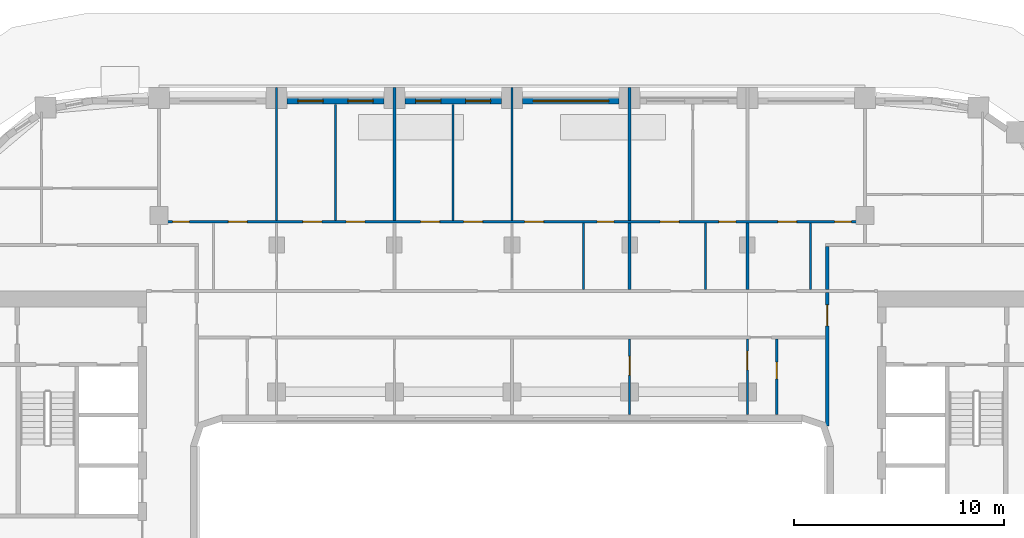
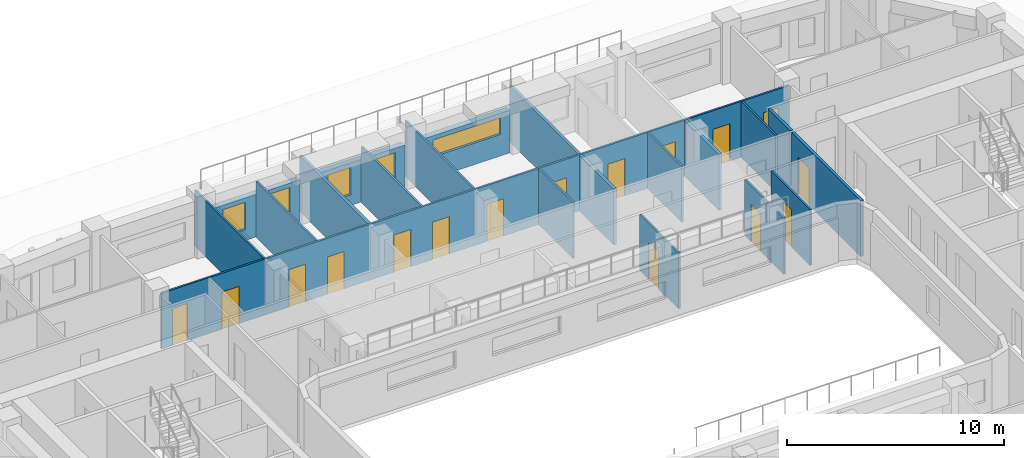
# One storey, part 8 of 17: 20 walls, 16 doors, 5 windows, 21 openings.
"""IFC4 building model written with IfcOpenShell, lengths in metres."""

import ifcopenshell
import ifcopenshell.guid

model = None  # the IFC model being written
_history = None  # IfcOwnerHistory: only IFC2X3 demands one
_inside = {}  # id of a spatial element -> (the spatial element, [elements in it])
_under = {}  # id of a project, library or spatial element -> (it, [spatial elements below it])
_declared = {}  # id of a project -> (the project, [libraries it declares])
_typed = {}  # id of a type object -> (the type object, [elements of that type])
_made_of = {}  # id of a material, layer set ... -> (it, [elements and type objects made of it])


def new_model(schema):
    """Start an empty IFC model of exactly this schema.

    Asked for "IFC4X3", IfcOpenShell would pick the latest addendum, in which some entities
    have other attributes; the version numbers below select the first issue.
    IFC2X3 requires an IfcOwnerHistory on every rooted entity: one is made here for all.
    """
    global model, _history
    if schema == "IFC4X3":
        model = ifcopenshell.file(schema_version=(4, 3, 0, 0))
    else:
        model = ifcopenshell.file(schema=schema)
    _inside.clear()
    _under.clear()
    _declared.clear()
    _typed.clear()
    _made_of.clear()
    _history = None
    if model.schema == "IFC2X3":
        org = make("IfcOrganization", Name="unknown")
        user = make(
            "IfcPersonAndOrganization",
            ThePerson=make("IfcPerson", FamilyName="unknown"),
            TheOrganization=org,
        )
        app = make(
            "IfcApplication",
            ApplicationDeveloper=org,
            Version="unknown",
            ApplicationFullName="unknown",
            ApplicationIdentifier="unknown",
        )
        _history = make(
            "IfcOwnerHistory",
            OwningUser=user,
            OwningApplication=app,
            ChangeAction="ADDED",
            CreationDate=0,
        )
    return model


def make(cls, **values):
    """One entity of the class cls with the attributes given. An attribute that is None is left unset."""
    return model.create_entity(
        cls, **{name: value for name, value in values.items() if value is not None}
    )


def rooted(cls, **values):
    """An entity with a GlobalId (a new one), such as an element, a storey or a relation."""
    return make(cls, GlobalId=ifcopenshell.guid.new(), OwnerHistory=_history, **values)


def si_unit(unit_type, name, prefix=None):
    """IfcSIUnit, for example si_unit("LENGTHUNIT", "METRE", prefix="MILLI")."""
    return make("IfcSIUnit", UnitType=unit_type, Prefix=prefix, Name=name)


def assignment(units):
    """IfcUnitAssignment: the units of a project."""
    return None if units is None else make("IfcUnitAssignment", Units=units)


def point(xyz):
    """IfcCartesianPoint."""
    return None if xyz is None else make("IfcCartesianPoint", Coordinates=xyz)


def direction(xyz):
    """IfcDirection."""
    return None if xyz is None else make("IfcDirection", DirectionRatios=xyz)


def frame(location, z_axis=None, x_axis=None):
    """IfcAxis2Placement3D, a coordinate frame: its origin and axes. An axis left out is left unset."""
    return make(
        "IfcAxis2Placement3D",
        Location=point(location),
        Axis=direction(z_axis),
        RefDirection=direction(x_axis),
    )


def frame_2d(location, x_axis=None):
    """IfcAxis2Placement2D, a coordinate frame in the plane: its origin and x axis."""
    return make(
        "IfcAxis2Placement2D", Location=point(location), RefDirection=direction(x_axis)
    )


def origin():
    """The frame at (0, 0, 0) with its axes left unset."""
    return frame((0.0, 0.0, 0.0))


def place(relative_to, where):
    """IfcLocalPlacement: puts the frame where relative to a parent placement (None: the world)."""
    return make(
        "IfcLocalPlacement", PlacementRelTo=relative_to, RelativePlacement=where
    )


def context(
    kind, dimensions, precision=None, world=None, true_north=None, identifier=None
):
    """IfcGeometricRepresentationContext, for example the 3D "Model" context."""
    return make(
        "IfcGeometricRepresentationContext",
        ContextIdentifier=identifier,
        ContextType=kind,
        CoordinateSpaceDimension=dimensions,
        Precision=precision,
        WorldCoordinateSystem=world,
        TrueNorth=true_north,
    )


def subcontext(parent, identifier, kind, view, scale=None):
    """IfcGeometricRepresentationSubContext, for example "Body" below "Model"."""
    return make(
        "IfcGeometricRepresentationSubContext",
        ContextIdentifier=identifier,
        ContextType=kind,
        ParentContext=parent,
        TargetScale=scale,
        TargetView=view,
    )


def project(units=None, contexts=None):
    """IfcProject with its units and contexts."""
    return rooted(
        "IfcProject",
        Name="project",
        RepresentationContexts=contexts,
        UnitsInContext=assignment(units),
    )


def spatial(cls, under=None, at=None, **own):
    """A site, building, storey or space (cls), placed at a placement, below another one or the project."""
    s = rooted(cls, ObjectPlacement=at, **own)
    if under is not None:
        _under.setdefault(under.id(), (under, []))[1].append(s)
    return s


def profile(cls, at=None, kind="AREA", **sizes):
    """A parametric profile (cls). Its sizes go by their IFC names, for example OverallWidth=200.0."""
    return make(cls, ProfileType=kind, Position=at, **sizes)


def rectangle(**sizes):
    """IfcRectangleProfileDef."""
    return profile("IfcRectangleProfileDef", **sizes)


def extrude(swept, where, along, depth):
    """IfcExtrudedAreaSolid: the profile swept, set in the frame where, extruded along a direction by depth."""
    return make(
        "IfcExtrudedAreaSolid",
        SweptArea=swept,
        Position=where,
        ExtrudedDirection=direction(along),
        Depth=depth,
    )


def shape(context_of_items, identifier, shape_type, items):
    """IfcShapeRepresentation: the items that make up one representation, for example the "Body"."""
    return make(
        "IfcShapeRepresentation",
        ContextOfItems=context_of_items,
        RepresentationIdentifier=identifier,
        RepresentationType=shape_type,
        Items=items,
    )


def material(Name=None, Category=None):
    """IfcMaterial."""
    return make("IfcMaterial", Name=Name, Category=Category)


def layer(
    of_material, thickness, ventilated=None, Name=None, Category=None, Priority=None
):
    """IfcMaterialLayer: one layer of a wall or slab, of a material (None: an air gap)."""
    return make(
        "IfcMaterialLayer",
        Material=of_material,
        LayerThickness=thickness,
        IsVentilated=ventilated,
        Name=Name,
        Category=Category,
        Priority=Priority,
    )


def layer_set(layers, Name=None):
    """IfcMaterialLayerSet."""
    return make("IfcMaterialLayerSet", MaterialLayers=layers, LayerSetName=Name)


def made_of(thing, what):
    """Note that an element or type object is made of a material, layer set ...; save() writes the relation."""
    if what is not None:
        _made_of.setdefault(what.id(), (what, []))[1].append(thing)
    return thing


def type_object(cls, material=None, **own):
    """A type object (cls), such as IfcWallType, which elements share."""
    return made_of(rooted(cls, **own), material)


def element(
    cls,
    number,
    at=None,
    inside=None,
    cuts=None,
    type_object=None,
    material=None,
    context=None,
    identifier="Body",
    shape_type=None,
    held_by="IfcProductDefinitionShape",
    body=None,
    shapes=None,
    **own,
):
    """One element of the class cls, such as IfcWall. Its Tag is "e" and its number.

    at: its placement. inside: the storey or other place that contains it. cuts: it is an
    opening in that element (IfcRelVoidsElement). A single representation is given by context,
    identifier, shape_type and body (its items); several are given by shapes. held_by: the class
    of the entity that holds the representations. save() writes the other relations.
    """
    e = rooted(cls, Tag="e%d" % number, ObjectPlacement=at, **own)
    if body is not None:
        shapes = [shape(context, identifier, shape_type, body)]
    if shapes is not None:
        e.Representation = make(held_by, Representations=shapes)
    if inside is not None:
        _inside.setdefault(inside.id(), (inside, []))[1].append(e)
    if cuts is not None:
        rooted(
            "IfcRelVoidsElement", RelatingBuildingElement=cuts, RelatedOpeningElement=e
        )
    if type_object is not None:
        _typed.setdefault(type_object.id(), (type_object, []))[1].append(e)
    return made_of(e, material)


def fill(opening, filler):
    """IfcRelFillsElement: the door or window that sits in an opening."""
    return rooted(
        "IfcRelFillsElement",
        RelatingOpeningElement=opening,
        RelatedBuildingElement=filler,
    )


def aggregate(whole, parts):
    """IfcRelAggregates: a whole, such as a stair, and the parts it consists of."""
    return rooted("IfcRelAggregates", RelatingObject=whole, RelatedObjects=parts)


def save(model, path):
    """Write the relations noted so far, then the file.

    IfcRelAggregates (storeys below a building ...), IfcRelContainedInSpatialStructure (elements
    in a storey), IfcRelDefinesByType, IfcRelAssociatesMaterial and IfcRelDeclares: one each for
    every whole, place, type object, material and project.
    """
    for whole, parts in _under.values():
        aggregate(whole, parts)
    for where, things in _inside.values():
        rooted(
            "IfcRelContainedInSpatialStructure",
            RelatedElements=things,
            RelatingStructure=where,
        )
    for kind, things in _typed.values():
        rooted("IfcRelDefinesByType", RelatedObjects=things, RelatingType=kind)
    for what, things in _made_of.values():
        rooted("IfcRelAssociatesMaterial", RelatedObjects=things, RelatingMaterial=what)
    for by, libraries in _declared.values():
        rooted("IfcRelDeclares", RelatingContext=by, RelatedDefinitions=libraries)
    model.write(path)


model = new_model("IFC4")

# Units and contexts
model_context = context("Model", 3, precision=1e-05, world=origin(), true_north=direction((0.0, 1.0)))
body_context = subcontext(model_context, "Body", "Model", "MODEL_VIEW")
ifc_project = project(units=[si_unit("LENGTHUNIT", "METRE"), si_unit("AREAUNIT", "SQUARE_METRE"), si_unit("VOLUMEUNIT", "CUBIC_METRE"), si_unit("PLANEANGLEUNIT", "RADIAN"), si_unit("MASSUNIT", "GRAM", prefix="KILO")], contexts=[model_context])

# Site, building, storey
site_placement = place(None, origin())
site = spatial("IfcSite", under=ifc_project, at=site_placement, CompositionType="ELEMENT")
building_placement = place(site_placement, origin())
building = spatial("IfcBuilding", under=site, at=building_placement, Name="Kiln Ring Residences", CompositionType="ELEMENT")
storey_placement = place(building_placement, frame((0.0, 0.0, 174.60009765625)))
storey = spatial("IfcBuildingStorey", under=building, at=storey_placement, Name="L45", CompositionType="ELEMENT", Elevation=174.60009765625)

# Wall, opening, window
ifc_material_1 = material(Name="Brick masonry, dark clay brick", Category="masonry")
ifc_layer_1 = layer(ifc_material_1, 0.300048828125)
ifc_layer_set_1 = layer_set([ifc_layer_1], Name="EW-300 BRICK WALL")
wall_type_1 = type_object("IfcWallType", Name="EW-300 BRICK WALL", PredefinedType="SOLIDWALL", material=ifc_layer_set_1)
wall_1_placement = place(storey_placement, frame((5.10009765625, 22.25, 0.0), z_axis=(0.0, 0.0, 1.0), x_axis=(-1.0, 0.0, 0.0)))
wall_1 = element("IfcWall", 1, at=wall_1_placement, inside=storey, type_object=wall_type_1, Name="Facade wall L45 31", PredefinedType="SOLIDWALL", context=body_context, shape_type="SweptSolid", body=[
    extrude(rectangle(XDim=4.60009765625, YDim=0.300048828125, at=frame_2d((2.300048828125, 0.0))), origin(), (0.0, 0.0, 1.0), 2.39990234375),
])
opening_1_placement = place(wall_1_placement, frame((0.5, 0.0, 1.199951171875)))
opening_1 = element("IfcOpeningElement", 2, at=opening_1_placement, cuts=wall_1, Name="Opening W4", PredefinedType="OPENING", context=body_context, shape_type="SweptSolid", body=[
    extrude(rectangle(XDim=3.60009765625, YDim=0.949951171875, at=frame_2d((1.800048828125, 0.47509765625))), frame((0.0, 0.159912109375, 0.0), z_axis=(0.0, -1.0, 0.0), x_axis=(1.0, 0.0, 0.0)), (0.0, 0.0, 1.0), 0.320068359375),
])
ifc_material_2 = material(Name="Aluminium frame with double glazing", Category="aluminium")
window_type_1 = type_object("IfcWindowType", Name="WINDOW 3600 x 950", PartitioningType="SINGLE_PANEL", PredefinedType="WINDOW", material=ifc_material_2)
window_1_placement = place(opening_1_placement, origin())
window_1 = element("IfcWindow", 3, at=window_1_placement, inside=storey, type_object=window_type_1, Name="Window L45 20", OverallHeight=0.949951171875, OverallWidth=3.60009765625, PartitioningType="SINGLE_PANEL", PredefinedType="WINDOW", context=body_context, shape_type="SweptSolid", body=[
    extrude(rectangle(XDim=3.60009765625, YDim=0.949951171875, at=frame_2d((1.800048828125, 0.47509765625))), frame((0.0, 0.030029296875, 0.0), z_axis=(0.0, -1.0, 0.0), x_axis=(1.0, 0.0, 0.0)), (0.0, 0.0, 1.0), 0.06005859375),
])
fill(opening_1, window_1)

# Wall, openings, windows
wall_2_placement = place(storey_placement, frame((-0.5, 22.25, 0.0), z_axis=(0.0, 0.0, 1.0), x_axis=(-1.0, 0.0, 0.0)))
wall_2 = element("IfcWall", 4, at=wall_2_placement, inside=storey, type_object=wall_type_1, Name="Facade wall L45 32", PredefinedType="SOLIDWALL", context=body_context, shape_type="SweptSolid", body=[
    extrude(rectangle(XDim=4.60009765625, YDim=0.300048828125, at=frame_2d((2.300048828125, 0.0))), origin(), (0.0, 0.0, 1.0), 2.39990234375),
])
opening_2_placement = place(wall_2_placement, frame((0.512451171875, 0.0, 0.60009765625)))
opening_2 = element("IfcOpeningElement", 5, at=opening_2_placement, cuts=wall_2, Name="Opening W1", PredefinedType="OPENING", context=body_context, shape_type="SweptSolid", body=[
    extrude(rectangle(XDim=1.199951171875, YDim=1.550048828125, at=frame_2d((0.60009765625, 0.77490234375))), frame((0.0, 0.159912109375, 0.0), z_axis=(0.0, -1.0, 0.0), x_axis=(1.0, 0.0, 0.0)), (0.0, 0.0, 1.0), 0.320068359375),
])
opening_3_placement = place(wall_2_placement, frame((2.887451171875, 0.0, 0.60009765625)))
opening_3 = element("IfcOpeningElement", 6, at=opening_3_placement, cuts=wall_2, Name="Opening W1", PredefinedType="OPENING", context=body_context, shape_type="SweptSolid", body=[
    extrude(rectangle(XDim=1.199951171875, YDim=1.550048828125, at=frame_2d((0.60009765625, 0.77490234375))), frame((0.0, 0.159912109375, 0.0), z_axis=(0.0, -1.0, 0.0), x_axis=(1.0, 0.0, 0.0)), (0.0, 0.0, 1.0), 0.320068359375),
])
ifc_material_3 = material(Name="Aluminium frame with double glazing", Category="aluminium")
window_type_2 = type_object("IfcWindowType", Name="WINDOW 1200 x 1550", PartitioningType="SINGLE_PANEL", PredefinedType="WINDOW", material=ifc_material_3)
window_2_placement = place(opening_2_placement, origin())
window_2 = element("IfcWindow", 7, at=window_2_placement, inside=storey, type_object=window_type_2, Name="Window L45 21", OverallHeight=1.550048828125, OverallWidth=1.199951171875, PartitioningType="SINGLE_PANEL", PredefinedType="WINDOW", context=body_context, shape_type="SweptSolid", body=[
    extrude(rectangle(XDim=1.199951171875, YDim=1.550048828125, at=frame_2d((0.60009765625, 0.77490234375))), frame((0.0, 0.030029296875, 0.0), z_axis=(0.0, -1.0, 0.0), x_axis=(1.0, 0.0, 0.0)), (0.0, 0.0, 1.0), 0.06005859375),
])
fill(opening_2, window_2)
window_3_placement = place(opening_3_placement, origin())
window_3 = element("IfcWindow", 8, at=window_3_placement, inside=storey, type_object=window_type_2, Name="Window L45 22", OverallHeight=1.550048828125, OverallWidth=1.199951171875, PartitioningType="SINGLE_PANEL", PredefinedType="WINDOW", context=body_context, shape_type="SweptSolid", body=[
    extrude(rectangle(XDim=1.199951171875, YDim=1.550048828125, at=frame_2d((0.60009765625, 0.77490234375))), frame((0.0, 0.030029296875, 0.0), z_axis=(0.0, -1.0, 0.0), x_axis=(1.0, 0.0, 0.0)), (0.0, 0.0, 1.0), 0.06005859375),
])
fill(opening_3, window_3)

wall_3_placement = place(storey_placement, frame((-6.10009765625, 22.25, 0.0), z_axis=(0.0, 0.0, 1.0), x_axis=(-1.0, 0.0, 0.0)))
wall_3 = element("IfcWall", 9, at=wall_3_placement, inside=storey, type_object=wall_type_1, Name="Facade wall L45 33", PredefinedType="SOLIDWALL", context=body_context, shape_type="SweptSolid", body=[
    extrude(rectangle(XDim=4.599853515625, YDim=0.300048828125, at=frame_2d((2.2998046875, 0.0))), origin(), (0.0, 0.0, 1.0), 2.39990234375),
])
opening_4_placement = place(wall_3_placement, frame((0.512451171875, 0.0, 0.60009765625)))
opening_4 = element("IfcOpeningElement", 10, at=opening_4_placement, cuts=wall_3, Name="Opening W1", PredefinedType="OPENING", context=body_context, shape_type="SweptSolid", body=[
    extrude(rectangle(XDim=1.199951171875, YDim=1.550048828125, at=frame_2d((0.60009765625, 0.77490234375))), frame((0.0, 0.159912109375, 0.0), z_axis=(0.0, -1.0, 0.0), x_axis=(1.0, 0.0, 0.0)), (0.0, 0.0, 1.0), 0.320068359375),
])
opening_5_placement = place(wall_3_placement, frame((2.887451171875, 0.0, 0.60009765625)))
opening_5 = element("IfcOpeningElement", 11, at=opening_5_placement, cuts=wall_3, Name="Opening W1", PredefinedType="OPENING", context=body_context, shape_type="SweptSolid", body=[
    extrude(rectangle(XDim=1.199951171875, YDim=1.550048828125, at=frame_2d((0.60009765625, 0.77490234375))), frame((0.0, 0.159912109375, 0.0), z_axis=(0.0, -1.0, 0.0), x_axis=(1.0, 0.0, 0.0)), (0.0, 0.0, 1.0), 0.320068359375),
])
window_4_placement = place(opening_4_placement, origin())
window_4 = element("IfcWindow", 12, at=window_4_placement, inside=storey, type_object=window_type_2, Name="Window L45 23", OverallHeight=1.550048828125, OverallWidth=1.199951171875, PartitioningType="SINGLE_PANEL", PredefinedType="WINDOW", context=body_context, shape_type="SweptSolid", body=[
    extrude(rectangle(XDim=1.199951171875, YDim=1.550048828125, at=frame_2d((0.60009765625, 0.77490234375))), frame((0.0, 0.030029296875, 0.0), z_axis=(0.0, -1.0, 0.0), x_axis=(1.0, 0.0, 0.0)), (0.0, 0.0, 1.0), 0.06005859375),
])
fill(opening_4, window_4)
window_5_placement = place(opening_5_placement, origin())
window_5 = element("IfcWindow", 13, at=window_5_placement, inside=storey, type_object=window_type_2, Name="Window L45 24", OverallHeight=1.550048828125, OverallWidth=1.199951171875, PartitioningType="SINGLE_PANEL", PredefinedType="WINDOW", context=body_context, shape_type="SweptSolid", body=[
    extrude(rectangle(XDim=1.199951171875, YDim=1.550048828125, at=frame_2d((0.60009765625, 0.77490234375))), frame((0.0, 0.030029296875, 0.0), z_axis=(0.0, -1.0, 0.0), x_axis=(1.0, 0.0, 0.0)), (0.0, 0.0, 1.0), 0.06005859375),
])
fill(opening_5, window_5)

# Wall, openings, doors
ifc_material_4 = material(Name="Gypsum board on steel studs", Category="steel")
ifc_layer_2 = layer(ifc_material_4, 0.10009765625)
ifc_layer_set_2 = layer_set([ifc_layer_2], Name="PARTITION-100")
wall_type_2 = type_object("IfcWallType", Name="PARTITION-100", PredefinedType="PARTITIONING", material=ifc_layer_set_2)
wall_4_placement = place(storey_placement, frame((-16.72509765625, 16.5, 0.0), z_axis=(0.0, 0.0, 1.0), x_axis=(1.0, 0.0, 0.0)))
wall_4 = element("IfcWall", 14, at=wall_4_placement, inside=storey, type_object=wall_type_2, Name="Partition 011", PredefinedType="PARTITIONING", context=body_context, shape_type="SweptSolid", body=[
    extrude(rectangle(XDim=33.4501953125, YDim=0.10009765625, at=frame_2d((16.72509765625, 0.0))), origin(), (0.0, 0.0, 1.0), 3.14990234375),
])
opening_6_placement = place(wall_4_placement, frame((0.574951171875, 0.0, 0.0)))
opening_6 = element("IfcOpeningElement", 15, at=opening_6_placement, cuts=wall_4, Name="Opening L45-D019", PredefinedType="OPENING", context=body_context, shape_type="SweptSolid", body=[
    extrude(rectangle(XDim=0.800048828125, YDim=2.10009765625, at=frame_2d((0.39990234375, 1.050048828125))), frame((0.0, 0.06005859375, 0.0), z_axis=(0.0, -1.0, 0.0), x_axis=(1.0, 0.0, 0.0)), (0.0, 0.0, 1.0), 0.1201171875),
])
opening_7_placement = place(wall_4_placement, frame((3.22509765625, 0.0, 0.0)))
opening_7 = element("IfcOpeningElement", 16, at=opening_7_placement, cuts=wall_4, Name="Opening L45-D020", PredefinedType="OPENING", context=body_context, shape_type="SweptSolid", body=[
    extrude(rectangle(XDim=0.89990234375, YDim=2.10009765625, at=frame_2d((0.449951171875, 1.050048828125))), frame((0.0, 0.06005859375, 0.0), z_axis=(0.0, -1.0, 0.0), x_axis=(1.0, 0.0, 0.0)), (0.0, 0.0, 1.0), 0.1201171875),
])
opening_8_placement = place(wall_4_placement, frame((6.77490234375, 0.0, 0.0)))
opening_8 = element("IfcOpeningElement", 17, at=opening_8_placement, cuts=wall_4, Name="Opening L45-D021", PredefinedType="OPENING", context=body_context, shape_type="SweptSolid", body=[
    extrude(rectangle(XDim=0.89990234375, YDim=2.10009765625, at=frame_2d((0.449951171875, 1.050048828125))), frame((0.0, 0.06005859375, 0.0), z_axis=(0.0, -1.0, 0.0), x_axis=(1.0, 0.0, 0.0)), (0.0, 0.0, 1.0), 0.1201171875),
])
opening_9_placement = place(wall_4_placement, frame((8.824951171875, 0.0, 0.0)))
opening_9 = element("IfcOpeningElement", 18, at=opening_9_placement, cuts=wall_4, Name="Opening L45-D022", PredefinedType="OPENING", context=body_context, shape_type="SweptSolid", body=[
    extrude(rectangle(XDim=0.89990234375, YDim=2.10009765625, at=frame_2d((0.449951171875, 1.050048828125))), frame((0.0, 0.06005859375, 0.0), z_axis=(0.0, -1.0, 0.0), x_axis=(1.0, 0.0, 0.0)), (0.0, 0.0, 1.0), 0.1201171875),
])
opening_10_placement = place(wall_4_placement, frame((20.77490234375, 0.0, 0.0)))
opening_10 = element("IfcOpeningElement", 19, at=opening_10_placement, cuts=wall_4, Name="Opening L45-D025", PredefinedType="OPENING", context=body_context, shape_type="SweptSolid", body=[
    extrude(rectangle(XDim=0.800048828125, YDim=2.10009765625, at=frame_2d((0.39990234375, 1.050048828125))), frame((0.0, 0.06005859375, 0.0), z_axis=(0.0, -1.0, 0.0), x_axis=(1.0, 0.0, 0.0)), (0.0, 0.0, 1.0), 0.1201171875),
])
opening_11_placement = place(wall_4_placement, frame((17.324951171875, 0.0, 0.0)))
opening_11 = element("IfcOpeningElement", 20, at=opening_11_placement, cuts=wall_4, Name="Opening L45-D026", PredefinedType="OPENING", context=body_context, shape_type="SweptSolid", body=[
    extrude(rectangle(XDim=0.89990234375, YDim=2.10009765625, at=frame_2d((0.449951171875, 1.050048828125))), frame((0.0, 0.06005859375, 0.0), z_axis=(0.0, -1.0, 0.0), x_axis=(1.0, 0.0, 0.0)), (0.0, 0.0, 1.0), 0.1201171875),
])
opening_12_placement = place(wall_4_placement, frame((12.375, 0.0, 0.0)))
opening_12 = element("IfcOpeningElement", 21, at=opening_12_placement, cuts=wall_4, Name="Opening L45-D027", PredefinedType="OPENING", context=body_context, shape_type="SweptSolid", body=[
    extrude(rectangle(XDim=0.89990234375, YDim=2.10009765625, at=frame_2d((0.449951171875, 1.050048828125))), frame((0.0, 0.06005859375, 0.0), z_axis=(0.0, -1.0, 0.0), x_axis=(1.0, 0.0, 0.0)), (0.0, 0.0, 1.0), 0.1201171875),
])
opening_13_placement = place(wall_4_placement, frame((14.425048828125, 0.0, 0.0)))
opening_13 = element("IfcOpeningElement", 22, at=opening_13_placement, cuts=wall_4, Name="Opening L45-D028", PredefinedType="OPENING", context=body_context, shape_type="SweptSolid", body=[
    extrude(rectangle(XDim=0.89990234375, YDim=2.10009765625, at=frame_2d((0.449951171875, 1.050048828125))), frame((0.0, 0.06005859375, 0.0), z_axis=(0.0, -1.0, 0.0), x_axis=(1.0, 0.0, 0.0)), (0.0, 0.0, 1.0), 0.1201171875),
])
opening_14_placement = place(wall_4_placement, frame((26.574951171875, 0.0, 0.0)))
opening_14 = element("IfcOpeningElement", 23, at=opening_14_placement, cuts=wall_4, Name="Opening L45-D030", PredefinedType="OPENING", context=body_context, shape_type="SweptSolid", body=[
    extrude(rectangle(XDim=0.800048828125, YDim=2.10009765625, at=frame_2d((0.39990234375, 1.050048828125))), frame((0.0, 0.06005859375, 0.0), z_axis=(0.0, -1.0, 0.0), x_axis=(1.0, 0.0, 0.0)), (0.0, 0.0, 1.0), 0.1201171875),
])
opening_15_placement = place(wall_4_placement, frame((23.77490234375, 0.0, 0.0)))
opening_15 = element("IfcOpeningElement", 24, at=opening_15_placement, cuts=wall_4, Name="Opening L45-D031", PredefinedType="OPENING", context=body_context, shape_type="SweptSolid", body=[
    extrude(rectangle(XDim=0.89990234375, YDim=2.10009765625, at=frame_2d((0.449951171875, 1.050048828125))), frame((0.0, 0.06005859375, 0.0), z_axis=(0.0, -1.0, 0.0), x_axis=(1.0, 0.0, 0.0)), (0.0, 0.0, 1.0), 0.1201171875),
])
opening_16_placement = place(wall_4_placement, frame((32.074951171875, 0.0, 0.0)))
opening_16 = element("IfcOpeningElement", 25, at=opening_16_placement, cuts=wall_4, Name="Opening L45-D034", PredefinedType="OPENING", context=body_context, shape_type="SweptSolid", body=[
    extrude(rectangle(XDim=0.800048828125, YDim=2.10009765625, at=frame_2d((0.39990234375, 1.050048828125))), frame((0.0, 0.06005859375, 0.0), z_axis=(0.0, -1.0, 0.0), x_axis=(1.0, 0.0, 0.0)), (0.0, 0.0, 1.0), 0.1201171875),
])
opening_17_placement = place(wall_4_placement, frame((29.375, 0.0, 0.0)))
opening_17 = element("IfcOpeningElement", 26, at=opening_17_placement, cuts=wall_4, Name="Opening L45-D035", PredefinedType="OPENING", context=body_context, shape_type="SweptSolid", body=[
    extrude(rectangle(XDim=0.89990234375, YDim=2.10009765625, at=frame_2d((0.449951171875, 1.050048828125))), frame((0.0, 0.06005859375, 0.0), z_axis=(0.0, -1.0, 0.0), x_axis=(1.0, 0.0, 0.0)), (0.0, 0.0, 1.0), 0.1201171875),
])
ifc_material_5 = material(Name="Timber door leaf", Category="wood")
door_type_1 = type_object("IfcDoorType", Name="FLAT-DOOR-800-PL", OperationType="SINGLE_SWING_LEFT", PredefinedType="DOOR", material=ifc_material_5)
door_1_placement = place(opening_6_placement, origin())
door_1 = element("IfcDoor", 27, at=door_1_placement, inside=storey, type_object=door_type_1, Name="Door L45-D019", OperationType="SINGLE_SWING_LEFT", OverallHeight=2.10009765625, OverallWidth=0.800048828125, PredefinedType="DOOR", context=body_context, shape_type="SweptSolid", body=[
    extrude(rectangle(XDim=0.800048828125, YDim=2.10009765625, at=frame_2d((0.39990234375, 1.050048828125))), frame((0.0, 0.02490234375, 0.0), z_axis=(0.0, -1.0, 0.0), x_axis=(1.0, 0.0, 0.0)), (0.0, 0.0, 1.0), 0.050048828125),
])
fill(opening_6, door_1)
door_2_placement = place(opening_10_placement, origin())
door_2 = element("IfcDoor", 28, at=door_2_placement, inside=storey, type_object=door_type_1, Name="Door L45-D025", OperationType="SINGLE_SWING_LEFT", OverallHeight=2.10009765625, OverallWidth=0.800048828125, PredefinedType="DOOR", context=body_context, shape_type="SweptSolid", body=[
    extrude(rectangle(XDim=0.800048828125, YDim=2.10009765625, at=frame_2d((0.39990234375, 1.050048828125))), frame((0.0, 0.02490234375, 0.0), z_axis=(0.0, -1.0, 0.0), x_axis=(1.0, 0.0, 0.0)), (0.0, 0.0, 1.0), 0.050048828125),
])
fill(opening_10, door_2)
door_3_placement = place(opening_14_placement, origin())
door_3 = element("IfcDoor", 29, at=door_3_placement, inside=storey, type_object=door_type_1, Name="Door L45-D030", OperationType="SINGLE_SWING_RIGHT", OverallHeight=2.10009765625, OverallWidth=0.800048828125, PredefinedType="DOOR", context=body_context, shape_type="SweptSolid", body=[
    extrude(rectangle(XDim=0.800048828125, YDim=2.10009765625, at=frame_2d((0.39990234375, 1.050048828125))), frame((0.0, 0.02490234375, 0.0), z_axis=(0.0, -1.0, 0.0), x_axis=(1.0, 0.0, 0.0)), (0.0, 0.0, 1.0), 0.050048828125),
])
fill(opening_14, door_3)
door_4_placement = place(opening_16_placement, origin())
door_4 = element("IfcDoor", 30, at=door_4_placement, inside=storey, type_object=door_type_1, Name="Door L45-D034", OperationType="SINGLE_SWING_RIGHT", OverallHeight=2.10009765625, OverallWidth=0.800048828125, PredefinedType="DOOR", context=body_context, shape_type="SweptSolid", body=[
    extrude(rectangle(XDim=0.800048828125, YDim=2.10009765625, at=frame_2d((0.39990234375, 1.050048828125))), frame((0.0, 0.02490234375, 0.0), z_axis=(0.0, -1.0, 0.0), x_axis=(1.0, 0.0, 0.0)), (0.0, 0.0, 1.0), 0.050048828125),
])
fill(opening_16, door_4)
ifc_material_6 = material(Name="Timber door leaf", Category="wood")
door_type_2 = type_object("IfcDoorType", Name="FLAT-DOOR-900-PL", OperationType="SINGLE_SWING_LEFT", PredefinedType="DOOR", material=ifc_material_6)
door_5_placement = place(opening_7_placement, origin())
door_5 = element("IfcDoor", 31, at=door_5_placement, inside=storey, type_object=door_type_2, Name="Door L45-D020", OperationType="SINGLE_SWING_RIGHT", OverallHeight=2.10009765625, OverallWidth=0.89990234375, PredefinedType="DOOR", context=body_context, shape_type="SweptSolid", body=[
    extrude(rectangle(XDim=0.89990234375, YDim=2.10009765625, at=frame_2d((0.449951171875, 1.050048828125))), frame((0.0, 0.02490234375, 0.0), z_axis=(0.0, -1.0, 0.0), x_axis=(1.0, 0.0, 0.0)), (0.0, 0.0, 1.0), 0.050048828125),
])
fill(opening_7, door_5)
door_6_placement = place(opening_8_placement, origin())
door_6 = element("IfcDoor", 32, at=door_6_placement, inside=storey, type_object=door_type_2, Name="Door L45-D021", OperationType="SINGLE_SWING_LEFT", OverallHeight=2.10009765625, OverallWidth=0.89990234375, PredefinedType="DOOR", context=body_context, shape_type="SweptSolid", body=[
    extrude(rectangle(XDim=0.89990234375, YDim=2.10009765625, at=frame_2d((0.449951171875, 1.050048828125))), frame((0.0, 0.02490234375, 0.0), z_axis=(0.0, -1.0, 0.0), x_axis=(1.0, 0.0, 0.0)), (0.0, 0.0, 1.0), 0.050048828125),
])
fill(opening_8, door_6)
door_7_placement = place(opening_9_placement, origin())
door_7 = element("IfcDoor", 33, at=door_7_placement, inside=storey, type_object=door_type_2, Name="Door L45-D022", OperationType="SINGLE_SWING_RIGHT", OverallHeight=2.10009765625, OverallWidth=0.89990234375, PredefinedType="DOOR", context=body_context, shape_type="SweptSolid", body=[
    extrude(rectangle(XDim=0.89990234375, YDim=2.10009765625, at=frame_2d((0.449951171875, 1.050048828125))), frame((0.0, 0.02490234375, 0.0), z_axis=(0.0, -1.0, 0.0), x_axis=(1.0, 0.0, 0.0)), (0.0, 0.0, 1.0), 0.050048828125),
])
fill(opening_9, door_7)
door_8_placement = place(opening_11_placement, origin())
door_8 = element("IfcDoor", 34, at=door_8_placement, inside=storey, type_object=door_type_2, Name="Door L45-D026", OperationType="SINGLE_SWING_RIGHT", OverallHeight=2.10009765625, OverallWidth=0.89990234375, PredefinedType="DOOR", context=body_context, shape_type="SweptSolid", body=[
    extrude(rectangle(XDim=0.89990234375, YDim=2.10009765625, at=frame_2d((0.449951171875, 1.050048828125))), frame((0.0, 0.02490234375, 0.0), z_axis=(0.0, -1.0, 0.0), x_axis=(1.0, 0.0, 0.0)), (0.0, 0.0, 1.0), 0.050048828125),
])
fill(opening_11, door_8)
door_9_placement = place(opening_12_placement, origin())
door_9 = element("IfcDoor", 35, at=door_9_placement, inside=storey, type_object=door_type_2, Name="Door L45-D027", OperationType="SINGLE_SWING_LEFT", OverallHeight=2.10009765625, OverallWidth=0.89990234375, PredefinedType="DOOR", context=body_context, shape_type="SweptSolid", body=[
    extrude(rectangle(XDim=0.89990234375, YDim=2.10009765625, at=frame_2d((0.449951171875, 1.050048828125))), frame((0.0, 0.02490234375, 0.0), z_axis=(0.0, -1.0, 0.0), x_axis=(1.0, 0.0, 0.0)), (0.0, 0.0, 1.0), 0.050048828125),
])
fill(opening_12, door_9)
door_10_placement = place(opening_13_placement, origin())
door_10 = element("IfcDoor", 36, at=door_10_placement, inside=storey, type_object=door_type_2, Name="Door L45-D028", OperationType="SINGLE_SWING_RIGHT", OverallHeight=2.10009765625, OverallWidth=0.89990234375, PredefinedType="DOOR", context=body_context, shape_type="SweptSolid", body=[
    extrude(rectangle(XDim=0.89990234375, YDim=2.10009765625, at=frame_2d((0.449951171875, 1.050048828125))), frame((0.0, 0.02490234375, 0.0), z_axis=(0.0, -1.0, 0.0), x_axis=(1.0, 0.0, 0.0)), (0.0, 0.0, 1.0), 0.050048828125),
])
fill(opening_13, door_10)
door_11_placement = place(opening_15_placement, origin())
door_11 = element("IfcDoor", 37, at=door_11_placement, inside=storey, type_object=door_type_2, Name="Door L45-D031", OperationType="SINGLE_SWING_LEFT", OverallHeight=2.10009765625, OverallWidth=0.89990234375, PredefinedType="DOOR", context=body_context, shape_type="SweptSolid", body=[
    extrude(rectangle(XDim=0.89990234375, YDim=2.10009765625, at=frame_2d((0.449951171875, 1.050048828125))), frame((0.0, 0.02490234375, 0.0), z_axis=(0.0, -1.0, 0.0), x_axis=(1.0, 0.0, 0.0)), (0.0, 0.0, 1.0), 0.050048828125),
])
fill(opening_15, door_11)
door_12_placement = place(opening_17_placement, origin())
door_12 = element("IfcDoor", 38, at=door_12_placement, inside=storey, type_object=door_type_2, Name="Door L45-D035", OperationType="SINGLE_SWING_LEFT", OverallHeight=2.10009765625, OverallWidth=0.89990234375, PredefinedType="DOOR", context=body_context, shape_type="SweptSolid", body=[
    extrude(rectangle(XDim=0.89990234375, YDim=2.10009765625, at=frame_2d((0.449951171875, 1.050048828125))), frame((0.0, 0.02490234375, 0.0), z_axis=(0.0, -1.0, 0.0), x_axis=(1.0, 0.0, 0.0)), (0.0, 0.0, 1.0), 0.050048828125),
])
fill(opening_17, door_12)

# Walls
wall_5_placement = place(storey_placement, frame((-11.199951171875, 16.550048828125, 0.0), z_axis=(0.0, 0.0, 1.0), x_axis=(0.0, 1.0, 0.0)))
element("IfcWall", 39, at=wall_5_placement, inside=storey, type_object=wall_type_2, Name="Partition 031", PredefinedType="PARTITIONING", context=body_context, shape_type="SweptSolid", body=[
    extrude(rectangle(XDim=6.329833984375, YDim=0.10009765625, at=frame_2d((3.1650390625, 0.0))), origin(), (0.0, 0.0, 1.0), 3.14990234375),
])
for number, where, z_axis, x_axis, name in (
    (40, (-8.39990234375, 16.550048828125, 0.0), (0.0, 0.0, 1.0), (0.0, 1.0, 0.0), "Partition 032"),
    (41, (-2.800048828125, 16.550048828125, 0.0), (0.0, 0.0, 1.0), (0.0, 1.0, 0.0), "Partition 039"),
):
    element("IfcWall", number, at=place(storey_placement, frame(where, z_axis=z_axis, x_axis=x_axis)), inside=storey, type_object=wall_type_2, Name=name, PredefinedType="PARTITIONING", context=body_context, shape_type="SweptSolid", body=[
        extrude(rectangle(XDim=5.530029296875, YDim=0.10009765625, at=frame_2d((2.76513671875, 0.0))), origin(), (0.0, 0.0, 1.0), 3.14990234375),
    ])
wall_6_placement = place(storey_placement, frame((0.0, 16.550048828125, 0.0), z_axis=(0.0, 0.0, 1.0), x_axis=(0.0, 1.0, 0.0)))
element("IfcWall", 42, at=wall_6_placement, inside=storey, type_object=wall_type_2, Name="Partition 044", PredefinedType="PARTITIONING", context=body_context, shape_type="SweptSolid", body=[
    extrude(rectangle(XDim=6.329833984375, YDim=0.10009765625, at=frame_2d((3.1650390625, 0.0))), origin(), (0.0, 0.0, 1.0), 3.14990234375),
])
wall_7_placement = place(storey_placement, frame((3.39990234375, 13.27490234375, 0.0), z_axis=(0.0, 0.0, 1.0), x_axis=(0.0, 1.0, 0.0)))
element("IfcWall", 43, at=wall_7_placement, inside=storey, type_object=wall_type_2, Name="Partition 048", PredefinedType="PARTITIONING", context=body_context, shape_type="SweptSolid", body=[
    extrude(rectangle(XDim=3.175048828125, YDim=0.10009765625, at=frame_2d((1.58740234375, 0.0))), origin(), (0.0, 0.0, 1.0), 3.14990234375),
])

# Wall, opening, door
wall_8_placement = place(storey_placement, frame((5.60009765625, 7.320068359375, 0.0), z_axis=(0.0, 0.0, 1.0), x_axis=(0.0, 1.0, 0.0)))
wall_8 = element("IfcWall", 44, at=wall_8_placement, inside=storey, type_object=wall_type_2, Name="Partition 050", PredefinedType="PARTITIONING", context=body_context, shape_type="SweptSolid", body=[
    extrude(rectangle(XDim=3.60498046875, YDim=0.10009765625, at=frame_2d((1.802490234375, 0.0))), origin(), (0.0, 0.0, 1.0), 3.14990234375),
])
opening_18_placement = place(wall_8_placement, frame((1.87890625, 0.0, 0.0)))
opening_18 = element("IfcOpeningElement", 45, at=opening_18_placement, cuts=wall_8, Name="Opening L45-D016", PredefinedType="OPENING", context=body_context, shape_type="SweptSolid", body=[
    extrude(rectangle(XDim=0.89990234375, YDim=2.10009765625, at=frame_2d((0.449951171875, 1.050048828125))), frame((0.0, 0.06005859375, 0.0), z_axis=(0.0, -1.0, 0.0), x_axis=(1.0, 0.0, 0.0)), (0.0, 0.0, 1.0), 0.1201171875),
])
door_13_placement = place(opening_18_placement, origin())
door_13 = element("IfcDoor", 46, at=door_13_placement, inside=storey, type_object=door_type_2, Name="Door L45-D016", OperationType="SINGLE_SWING_LEFT", OverallHeight=2.10009765625, OverallWidth=0.89990234375, PredefinedType="DOOR", context=body_context, shape_type="SweptSolid", body=[
    extrude(rectangle(XDim=0.89990234375, YDim=2.10009765625, at=frame_2d((0.449951171875, 1.050048828125))), frame((0.0, 0.02490234375, 0.0), z_axis=(0.0, -1.0, 0.0), x_axis=(1.0, 0.0, 0.0)), (0.0, 0.0, 1.0), 0.050048828125),
])
fill(opening_18, door_13)

# Wall
wall_9_placement = place(storey_placement, frame((9.199951171875, 13.27490234375, 0.0), z_axis=(0.0, 0.0, 1.0), x_axis=(0.0, 1.0, 0.0)))
element("IfcWall", 47, at=wall_9_placement, inside=storey, type_object=wall_type_2, Name="Partition 056", PredefinedType="PARTITIONING", context=body_context, shape_type="SweptSolid", body=[
    extrude(rectangle(XDim=3.175048828125, YDim=0.10009765625, at=frame_2d((1.58740234375, 0.0))), origin(), (0.0, 0.0, 1.0), 3.14990234375),
])

# Wall, opening, door
wall_10_placement = place(storey_placement, frame((11.199951171875, 7.320068359375, 0.0), z_axis=(0.0, 0.0, 1.0), x_axis=(0.0, 1.0, 0.0)))
wall_10 = element("IfcWall", 48, at=wall_10_placement, inside=storey, type_object=wall_type_2, Name="Partition 060", PredefinedType="PARTITIONING", context=body_context, shape_type="SweptSolid", body=[
    extrude(rectangle(XDim=3.60498046875, YDim=0.10009765625, at=frame_2d((1.802490234375, 0.0))), origin(), (0.0, 0.0, 1.0), 3.14990234375),
])
opening_19_placement = place(wall_10_placement, frame((2.12890625, 0.0, 0.0)))
opening_19 = element("IfcOpeningElement", 49, at=opening_19_placement, cuts=wall_10, Name="Opening L45-D015", PredefinedType="OPENING", context=body_context, shape_type="SweptSolid", body=[
    extrude(rectangle(XDim=0.89990234375, YDim=2.10009765625, at=frame_2d((0.449951171875, 1.050048828125))), frame((0.0, 0.06005859375, 0.0), z_axis=(0.0, -1.0, 0.0), x_axis=(1.0, 0.0, 0.0)), (0.0, 0.0, 1.0), 0.1201171875),
])
door_14_placement = place(opening_19_placement, origin())
door_14 = element("IfcDoor", 50, at=door_14_placement, inside=storey, type_object=door_type_2, Name="Door L45-D015", OperationType="SINGLE_SWING_LEFT", OverallHeight=2.10009765625, OverallWidth=0.89990234375, PredefinedType="DOOR", context=body_context, shape_type="SweptSolid", body=[
    extrude(rectangle(XDim=0.89990234375, YDim=2.10009765625, at=frame_2d((0.449951171875, 1.050048828125))), frame((0.0, 0.02490234375, 0.0), z_axis=(0.0, -1.0, 0.0), x_axis=(1.0, 0.0, 0.0)), (0.0, 0.0, 1.0), 0.050048828125),
])
fill(opening_19, door_14)

wall_11_placement = place(storey_placement, frame((12.60009765625, 7.320068359375, 0.0), z_axis=(0.0, 0.0, 1.0), x_axis=(0.0, 1.0, 0.0)))
wall_11 = element("IfcWall", 51, at=wall_11_placement, inside=storey, type_object=wall_type_2, Name="Partition 063", PredefinedType="PARTITIONING", context=body_context, shape_type="SweptSolid", body=[
    extrude(rectangle(XDim=3.60498046875, YDim=0.10009765625, at=frame_2d((1.802490234375, 0.0))), origin(), (0.0, 0.0, 1.0), 3.14990234375),
])
opening_20_placement = place(wall_11_placement, frame((1.699951171875, 0.0, 0.0)))
opening_20 = element("IfcOpeningElement", 52, at=opening_20_placement, cuts=wall_11, Name="Opening L45-D014", PredefinedType="OPENING", context=body_context, shape_type="SweptSolid", body=[
    extrude(rectangle(XDim=0.800048828125, YDim=2.10009765625, at=frame_2d((0.39990234375, 1.050048828125))), frame((0.0, 0.06005859375, 0.0), z_axis=(0.0, -1.0, 0.0), x_axis=(1.0, 0.0, 0.0)), (0.0, 0.0, 1.0), 0.1201171875),
])
door_15_placement = place(opening_20_placement, origin())
door_15 = element("IfcDoor", 53, at=door_15_placement, inside=storey, type_object=door_type_1, Name="Door L45-D014", OperationType="SINGLE_SWING_RIGHT", OverallHeight=2.10009765625, OverallWidth=0.800048828125, PredefinedType="DOOR", context=body_context, shape_type="SweptSolid", body=[
    extrude(rectangle(XDim=0.800048828125, YDim=2.10009765625, at=frame_2d((0.39990234375, 1.050048828125))), frame((0.0, 0.02490234375, 0.0), z_axis=(0.0, -1.0, 0.0), x_axis=(1.0, 0.0, 0.0)), (0.0, 0.0, 1.0), 0.050048828125),
])
fill(opening_20, door_15)

# Walls
wall_12_placement = place(storey_placement, frame((14.199951171875, 13.27490234375, 0.0), z_axis=(0.0, 0.0, 1.0), x_axis=(0.0, 1.0, 0.0)))
element("IfcWall", 54, at=wall_12_placement, inside=storey, type_object=wall_type_2, Name="Partition 064", PredefinedType="PARTITIONING", context=body_context, shape_type="SweptSolid", body=[
    extrude(rectangle(XDim=3.175048828125, YDim=0.10009765625, at=frame_2d((1.58740234375, 0.0))), origin(), (0.0, 0.0, 1.0), 3.14990234375),
])
ifc_material_7 = material(Name="Brick masonry partition", Category="masonry")
ifc_layer_3 = layer(ifc_material_7, 0.14990234375)
ifc_layer_set_3 = layer_set([ifc_layer_3], Name="PARTITION-150-ei60")
wall_type_3 = type_object("IfcWallType", Name="PARTITION-150-ei60", PredefinedType="PARTITIONING", material=ifc_layer_set_3)
wall_13_placement = place(storey_placement, frame((-5.60009765625, 16.550048828125, 0.0), z_axis=(0.0, 0.0, 1.0), x_axis=(0.0, 1.0, 0.0)))
element("IfcWall", 55, at=wall_13_placement, inside=storey, type_object=wall_type_3, Name="Partition 038", PredefinedType="PARTITIONING", context=body_context, shape_type="SweptSolid", body=[
    extrude(rectangle(XDim=6.329833984375, YDim=0.14990234375, at=frame_2d((3.1650390625, 0.0))), origin(), (0.0, 0.0, 1.0), 3.14990234375),
])
wall_14_placement = place(storey_placement, frame((5.60009765625, 13.27490234375, 0.0), z_axis=(0.0, 0.0, 1.0), x_axis=(0.0, 1.0, 0.0)))
element("IfcWall", 56, at=wall_14_placement, inside=storey, type_object=wall_type_3, Name="Partition 053", PredefinedType="PARTITIONING", context=body_context, shape_type="SweptSolid", body=[
    extrude(rectangle(XDim=3.175048828125, YDim=0.14990234375, at=frame_2d((1.58740234375, 0.0))), origin(), (0.0, 0.0, 1.0), 3.14990234375),
])
wall_15_placement = place(storey_placement, frame((5.60009765625, 16.550048828125, 0.0), z_axis=(0.0, 0.0, 1.0), x_axis=(0.0, 1.0, 0.0)))
element("IfcWall", 57, at=wall_15_placement, inside=storey, type_object=wall_type_3, Name="Partition 054", PredefinedType="PARTITIONING", context=body_context, shape_type="SweptSolid", body=[
    extrude(rectangle(XDim=6.329833984375, YDim=0.14990234375, at=frame_2d((3.1650390625, 0.0))), origin(), (0.0, 0.0, 1.0), 3.14990234375),
])
wall_16_placement = place(storey_placement, frame((11.199951171875, 13.27490234375, 0.0), z_axis=(0.0, 0.0, 1.0), x_axis=(0.0, 1.0, 0.0)))
element("IfcWall", 58, at=wall_16_placement, inside=storey, type_object=wall_type_3, Name="Partition 061", PredefinedType="PARTITIONING", context=body_context, shape_type="SweptSolid", body=[
    extrude(rectangle(XDim=3.175048828125, YDim=0.14990234375, at=frame_2d((1.58740234375, 0.0))), origin(), (0.0, 0.0, 1.0), 3.14990234375),
])

# Wall, opening, door
wall_17_placement = place(storey_placement, frame((15.0, 6.768798828125, 0.0), z_axis=(0.0, 0.0, 1.0), x_axis=(0.0, 1.0, 0.0)))
wall_17 = element("IfcWall", 59, at=wall_17_placement, inside=storey, type_object=wall_type_3, Name="Partition 067", PredefinedType="PARTITIONING", context=body_context, shape_type="SweptSolid", body=[
    extrude(rectangle(XDim=6.356201171875, YDim=0.14990234375, at=frame_2d((3.17822265625, 0.0))), origin(), (0.0, 0.0, 1.0), 3.14990234375),
])
opening_21_placement = place(wall_17_placement, frame((4.78125, 0.0, 0.0)))
opening_21 = element("IfcOpeningElement", 60, at=opening_21_placement, cuts=wall_17, Name="Opening L45-D002", PredefinedType="OPENING", context=body_context, shape_type="SweptSolid", body=[
    extrude(rectangle(XDim=1.0, YDim=2.10009765625, at=frame_2d((0.5, 1.050048828125))), frame((0.0, 0.0849609375, 0.0), z_axis=(0.0, -1.0, 0.0), x_axis=(1.0, 0.0, 0.0)), (0.0, 0.0, 1.0), 0.169921875),
])
ifc_material_8 = material(Name="Steel faced fire door leaf", Category="steel")
door_type_3 = type_object("IfcDoorType", Name="FLAT-DOOR-1000-FR", OperationType="SINGLE_SWING_LEFT", PredefinedType="DOOR", material=ifc_material_8)
door_16_placement = place(opening_21_placement, origin())
door_16 = element("IfcDoor", 61, at=door_16_placement, inside=storey, type_object=door_type_3, Name="Door L45-D002", OperationType="SINGLE_SWING_LEFT", OverallHeight=2.10009765625, OverallWidth=1.0, PredefinedType="DOOR", context=body_context, shape_type="SweptSolid", body=[
    extrude(rectangle(XDim=1.0, YDim=2.10009765625, at=frame_2d((0.5, 1.050048828125))), frame((0.0, 0.02490234375, 0.0), z_axis=(0.0, -1.0, 0.0), x_axis=(1.0, 0.0, 0.0)), (0.0, 0.0, 1.0), 0.050048828125),
])
fill(opening_21, door_16)

# Wall
wall_18_placement = place(storey_placement, frame((15.0, 13.27490234375, 0.0), z_axis=(0.0, 0.0, 1.0), x_axis=(0.0, 1.0, 0.0)))
element("IfcWall", 62, at=wall_18_placement, inside=storey, type_object=wall_type_3, Name="Partition 068", PredefinedType="PARTITIONING", context=body_context, shape_type="SweptSolid", body=[
    extrude(rectangle(XDim=2.050048828125, YDim=0.14990234375, at=frame_2d((1.02490234375, 0.0))), origin(), (0.0, 0.0, 1.0), 3.14990234375),
])

save(model, "model.ifc")
